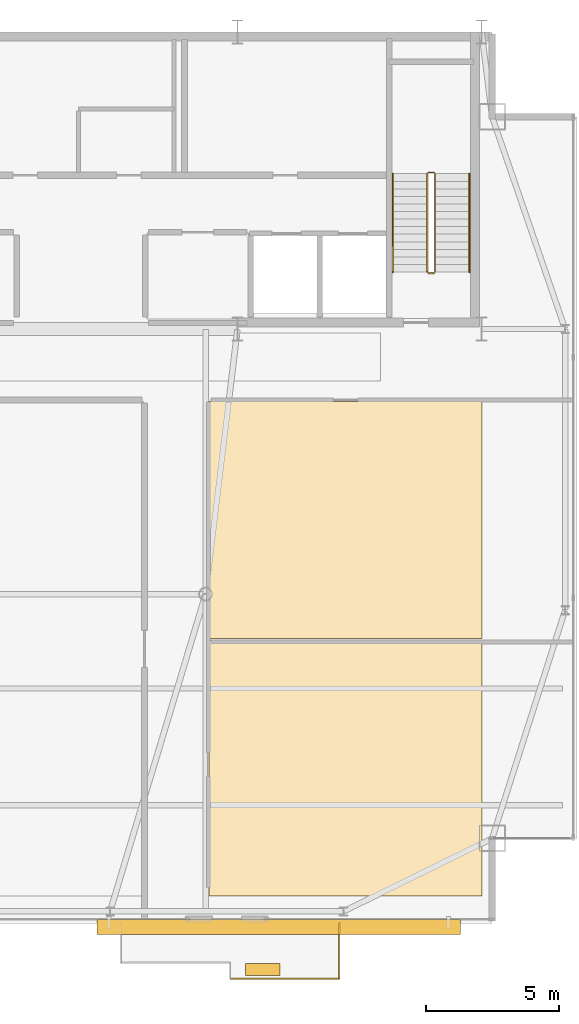
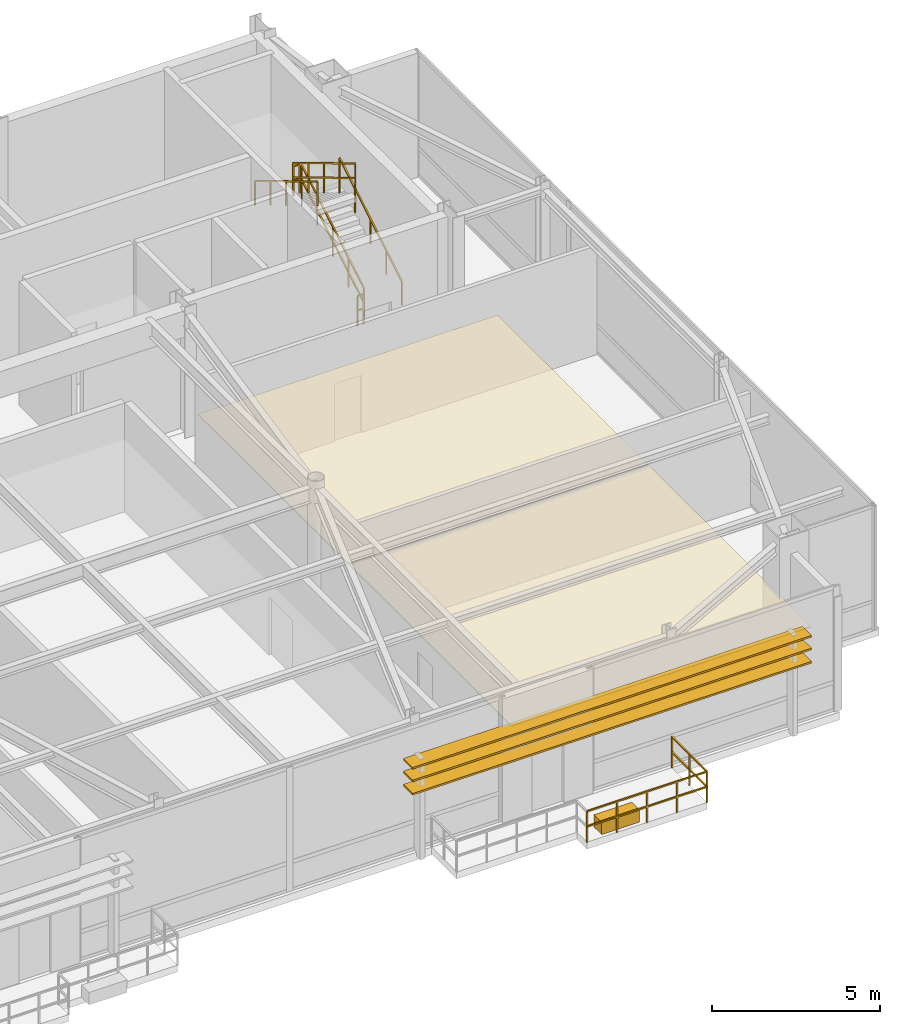
# One storey, part 22 of 22: 8 railings, 3 coverings, 3 shading devices.
"""IFC4 building model written with IfcOpenShell, lengths in metres."""

from ifc_helpers import new_model, si_unit, direction, frame, origin, origin_2d, place, context, subcontext, project, spatial, polyline, rectangle, outline, extrude, source, transform, mapped, material, layer, layer_set, type_object, type_shapes, element, save


model = new_model("IFC4")

# Units and contexts
model_context = context("Model", 3, precision=1e-05, world=origin(), true_north=direction((0.0, 1.0)))
body_context = subcontext(model_context, "Body", "Model", "MODEL_VIEW")
ifc_project = project(units=[si_unit("LENGTHUNIT", "METRE"), si_unit("AREAUNIT", "SQUARE_METRE"), si_unit("VOLUMEUNIT", "CUBIC_METRE"), si_unit("PLANEANGLEUNIT", "RADIAN"), si_unit("MASSUNIT", "GRAM", prefix="KILO")], contexts=[model_context])

# Site, building, storey
site_placement = place(None, origin())
site = spatial("IfcSite", under=ifc_project, at=site_placement, CompositionType="ELEMENT")
building_placement = place(site_placement, origin())
building = spatial("IfcBuilding", under=site, at=building_placement, Name="Varnel Quay Broadcast Tower", CompositionType="ELEMENT")
storey_placement = place(building_placement, frame((0.0, 0.0, 305.0)))
storey = spatial("IfcBuildingStorey", under=building, at=storey_placement, Name="L76", CompositionType="ELEMENT", Elevation=305.0)

# Coverings
ifc_material_1 = material(Name="Micro-Perforated Acoustic Ceiling Tile")
ifc_layer_1 = layer(ifc_material_1, 0.0400390625, Name="Micro-Perforated Acoustic Ceiling Tile")
ifc_layer_set_1 = layer_set([ifc_layer_1], Name="Micro-Perforated Acoustic Ceiling Tile")
covering_type_1 = type_object("IfcCoveringType", Name="Cov_AcousticCeiling", PredefinedType="CEILING", material=ifc_layer_set_1)
covering_1_placement = place(storey_placement, frame((0.0, 0.0, 2.580078125)))
element("IfcCovering", 1, at=covering_1_placement, inside=storey, type_object=covering_type_1, Name="L76 Sky Lounge Catering Kitchen Acoustic Ceiling", PredefinedType="CEILING", context=body_context, shape_type="SweptSolid", body=[
    extrude(outline(polyline([(42.135009765625, 14.22509765625), (52.4150390625, 14.22509765625), (52.4150390625, 23.864990234375), (42.135009765625, 23.864990234375), (42.135009765625, 14.22509765625)])), origin(), (0.0, 0.0, 1.0), 0.0400390625),
])
covering_2_placement = place(storey_placement, frame((0.0, 0.0, 2.580078125)))
element("IfcCovering", 2, at=covering_2_placement, inside=storey, type_object=covering_type_1, Name="L76 Observatory Curator's Office Acoustic Ceiling", PredefinedType="CEILING", context=body_context, shape_type="SweptSolid", body=[
    extrude(outline(polyline([(42.135009765625, 23.93505859375), (52.4150390625, 23.93505859375), (52.4150390625, 32.864990234375), (42.135009765625, 32.864990234375), (42.135009765625, 23.93505859375)])), origin(), (0.0, 0.0, 1.0), 0.0400390625),
])

# Railings
ifc_material_2 = material(Name="Anodised Bronze Aluminium 6063-T6", Category="aluminium")
railing_type_1 = type_object("IfcRailingType", Name="Rail_Balustrade1150", PredefinedType="BALUSTRADE", material=ifc_material_2)
railing_1_placement = place(storey_placement, frame((42.919921875, 11.113037109375, 0.0)))
element("IfcRailing", 3, at=railing_1_placement, inside=storey, type_object=railing_type_1, Name="L76 Terrace 2 Guard 3", PredefinedType="BALUSTRADE", context=body_context, shape_type="SweptSolid", body=[
    extrude(rectangle(XDim=0.048095703125, YDim=0.048095703125, at=origin_2d()), frame((0.0, 0.0, 1.1259765625), z_axis=(1.0, 0.0, 0.0), x_axis=(0.0, 1.0, 0.0)), (0.0, 0.0, 1.0), 4.1201171875),
    extrude(rectangle(XDim=0.048095703125, YDim=0.048095703125, at=origin_2d()), frame((0.0, 0.0, 0.574951171875), z_axis=(1.0, 0.0, 0.0), x_axis=(0.0, 1.0, 0.0)), (0.0, 0.0, 1.0), 4.1201171875),
    extrude(rectangle(XDim=0.0419921875, YDim=0.0419921875, at=origin_2d()), origin(), (0.0, 0.0, 1.0), 1.101806640625),
    extrude(rectangle(XDim=0.0419921875, YDim=0.0419921875, at=origin_2d()), frame((1.030029296875, 0.0, 0.0)), (0.0, 0.0, 1.0), 1.101806640625),
    extrude(rectangle(XDim=0.0419921875, YDim=0.0419921875, at=origin_2d()), frame((2.06005859375, 0.0, 0.0)), (0.0, 0.0, 1.0), 1.101806640625),
    extrude(rectangle(XDim=0.0419921875, YDim=0.0419921875, at=origin_2d()), frame((3.090087890625, 0.0, 0.0)), (0.0, 0.0, 1.0), 1.101806640625),
    extrude(rectangle(XDim=0.0419921875, YDim=0.0419921875, at=origin_2d()), frame((4.1201171875, 0.0, 0.0)), (0.0, 0.0, 1.0), 1.101806640625),
])
railing_2_placement = place(storey_placement, frame((47.0400390625, 11.113037109375, 0.0)))
element("IfcRailing", 4, at=railing_2_placement, inside=storey, type_object=railing_type_1, Name="L76 Terrace 2 Guard 4", PredefinedType="BALUSTRADE", context=body_context, shape_type="SweptSolid", body=[
    extrude(rectangle(XDim=0.048095703125, YDim=0.048095703125, at=origin_2d()), frame((0.0, 0.0, 1.1259765625), z_axis=(0.0, 1.0, 0.0), x_axis=(-1.0, 0.0, 0.0)), (0.0, 0.0, 1.0), 2.0869140625),
    extrude(rectangle(XDim=0.048095703125, YDim=0.048095703125, at=origin_2d()), frame((0.0, 0.0, 0.574951171875), z_axis=(0.0, 1.0, 0.0), x_axis=(-1.0, 0.0, 0.0)), (0.0, 0.0, 1.0), 2.0869140625),
    extrude(rectangle(XDim=0.0419921875, YDim=0.0419921875, at=origin_2d()), origin(), (0.0, 0.0, 1.0), 1.101806640625),
    extrude(rectangle(XDim=0.0419921875, YDim=0.0419921875, at=origin_2d()), frame((0.0, 1.04345703125, 0.0)), (0.0, 0.0, 1.0), 1.101806640625),
    extrude(rectangle(XDim=0.0419921875, YDim=0.0419921875, at=origin_2d()), frame((0.0, 2.0869140625, 0.0)), (0.0, 0.0, 1.0), 1.101806640625),
])
ifc_material_3 = material(Name="Painted Steel Guard and Handrail CSA G40.21 350W", Category="steel")
railing_type_2 = type_object("IfcRailingType", Name="Rail_StairGuard1100", PredefinedType="GUARDRAIL", material=ifc_material_3)
railing_3_placement = place(storey_placement, frame((50.64990234375, 37.75, 0.17138671875)))
element("IfcRailing", 5, at=railing_3_placement, inside=storey, type_object=railing_type_2, Name="L76 ST-02 stair guard 1", PredefinedType="GUARDRAIL", context=body_context, shape_type="SweptSolid", body=[
    extrude(rectangle(XDim=0.048095703125, YDim=0.048095703125, at=origin_2d()), frame((0.0, 0.0, 1.076171875), z_axis=(0.0, 0.856934400257, 0.515425487977), x_axis=(-1.0, 0.0, 0.0)), (0.0, 0.0, 1.0), 4.32373046875),
    extrude(rectangle(XDim=0.048095703125, YDim=0.048095703125, at=origin_2d()), frame((0.0, 0.0, 0.550048828125), z_axis=(0.0, 0.856934400257, 0.515425487977), x_axis=(-1.0, 0.0, 0.0)), (0.0, 0.0, 1.0), 4.32373046875),
    extrude(rectangle(XDim=0.0419921875, YDim=0.0419921875, at=origin_2d()), origin(), (0.0, 0.0, 1.0), 1.052001953125),
    extrude(rectangle(XDim=0.0419921875, YDim=0.0419921875, at=origin_2d()), frame((0.0, 0.92626953125, 0.55712890625)), (0.0, 0.0, 1.0), 1.052001953125),
    extrude(rectangle(XDim=0.0419921875, YDim=0.0419921875, at=origin_2d()), frame((0.0, 1.8525390625, 1.1142578125)), (0.0, 0.0, 1.0), 1.052001953125),
    extrude(rectangle(XDim=0.0419921875, YDim=0.0419921875, at=origin_2d()), frame((0.0, 2.77880859375, 1.67138671875)), (0.0, 0.0, 1.0), 1.052001953125),
    extrude(rectangle(XDim=0.0419921875, YDim=0.0419921875, at=origin_2d()), frame((0.0, 3.705078125, 2.228515625)), (0.0, 0.0, 1.0), 1.052001953125),
])
railing_4_placement = place(storey_placement, frame((50.60009765625, 41.5048828125, 2.39990234375)))
element("IfcRailing", 6, at=railing_4_placement, inside=storey, type_object=railing_type_2, Name="L76 ST-02 stair guard 2", PredefinedType="GUARDRAIL", context=body_context, shape_type="SweptSolid", body=[
    extrude(rectangle(XDim=0.048095703125, YDim=0.048095703125, at=origin_2d()), frame((0.0, 0.0, 1.076171875), z_axis=(-1.0, 0.0, 0.0), x_axis=(0.0, -1.0, 0.0)), (0.0, 0.0, 1.0), 0.2001953125),
    extrude(rectangle(XDim=0.048095703125, YDim=0.048095703125, at=origin_2d()), frame((0.0, 0.0, 0.550048828125), z_axis=(-1.0, 0.0, 0.0), x_axis=(0.0, -1.0, 0.0)), (0.0, 0.0, 1.0), 0.2001953125),
    extrude(rectangle(XDim=0.0419921875, YDim=0.0419921875, at=origin_2d()), origin(), (0.0, 0.0, 1.0), 1.052001953125),
    extrude(rectangle(XDim=0.0419921875, YDim=0.0419921875, at=origin_2d()), frame((-0.2001953125, 0.0, 0.0)), (0.0, 0.0, 1.0), 1.052001953125),
])
railing_5_placement = place(storey_placement, frame((50.35009765625, 41.455078125, 2.571533203125)))
element("IfcRailing", 7, at=railing_5_placement, inside=storey, type_object=railing_type_2, Name="L76 ST-02 stair guard 3", PredefinedType="GUARDRAIL", context=body_context, shape_type="SweptSolid", body=[
    extrude(rectangle(XDim=0.048095703125, YDim=0.048095703125, at=origin_2d()), frame((0.0, 0.0, 1.076171875), z_axis=(0.0, -0.856934400257, 0.515425487977), x_axis=(1.0, 0.0, 0.0)), (0.0, 0.0, 1.0), 4.32373046875),
    extrude(rectangle(XDim=0.048095703125, YDim=0.048095703125, at=origin_2d()), frame((0.0, 0.0, 0.550048828125), z_axis=(0.0, -0.856934400257, 0.515425487977), x_axis=(1.0, 0.0, 0.0)), (0.0, 0.0, 1.0), 4.32373046875),
    extrude(rectangle(XDim=0.0419921875, YDim=0.0419921875, at=origin_2d()), origin(), (0.0, 0.0, 1.0), 1.052001953125),
    extrude(rectangle(XDim=0.0419921875, YDim=0.0419921875, at=origin_2d()), frame((0.0, -0.92626953125, 0.55712890625)), (0.0, 0.0, 1.0), 1.052001953125),
    extrude(rectangle(XDim=0.0419921875, YDim=0.0419921875, at=origin_2d()), frame((0.0, -1.8525390625, 1.1142578125)), (0.0, 0.0, 1.0), 1.052001953125),
    extrude(rectangle(XDim=0.0419921875, YDim=0.0419921875, at=origin_2d()), frame((0.0, -2.77880859375, 1.67138671875)), (0.0, 0.0, 1.0), 1.052001953125),
    extrude(rectangle(XDim=0.0419921875, YDim=0.0419921875, at=origin_2d()), frame((0.0, -3.705078125, 2.228515625)), (0.0, 0.0, 1.0), 1.052001953125),
])
railing_6_placement = place(storey_placement, frame((50.60009765625, 37.699951171875, 0.0)))
element("IfcRailing", 8, at=railing_6_placement, inside=storey, type_object=railing_type_2, Name="L76 ST-02 stair guard 4", PredefinedType="GUARDRAIL", context=body_context, shape_type="SweptSolid", body=[
    extrude(rectangle(XDim=0.048095703125, YDim=0.048095703125, at=origin_2d()), frame((0.0, 0.0, 1.076171875), z_axis=(-1.0, 0.0, 0.0), x_axis=(0.0, -1.0, 0.0)), (0.0, 0.0, 1.0), 0.2001953125),
    extrude(rectangle(XDim=0.048095703125, YDim=0.048095703125, at=origin_2d()), frame((0.0, 0.0, 0.550048828125), z_axis=(-1.0, 0.0, 0.0), x_axis=(0.0, -1.0, 0.0)), (0.0, 0.0, 1.0), 0.2001953125),
    extrude(rectangle(XDim=0.0419921875, YDim=0.0419921875, at=origin_2d()), origin(), (0.0, 0.0, 1.0), 1.052001953125),
    extrude(rectangle(XDim=0.0419921875, YDim=0.0419921875, at=origin_2d()), frame((-0.2001953125, 0.0, 0.0)), (0.0, 0.0, 1.0), 1.052001953125),
])
railing_type_3 = type_object("IfcRailingType", Name="Rail_StairHandrail900", PredefinedType="HANDRAIL", material=ifc_material_3)
railing_7_placement = place(storey_placement, frame((51.949951171875, 37.75, 0.17138671875)))
element("IfcRailing", 9, at=railing_7_placement, inside=storey, type_object=railing_type_3, Name="L76 ST-02 stair handrail 1", PredefinedType="HANDRAIL", context=body_context, shape_type="SweptSolid", body=[
    extrude(rectangle(XDim=0.048095703125, YDim=0.048095703125, at=origin_2d()), frame((0.0, 0.0, 0.8759765625), z_axis=(0.0, 0.856934400257, 0.515425487977), x_axis=(-1.0, 0.0, 0.0)), (0.0, 0.0, 1.0), 4.32373046875),
    extrude(rectangle(XDim=0.0419921875, YDim=0.0419921875, at=origin_2d()), origin(), (0.0, 0.0, 1.0), 0.851806640625),
    extrude(rectangle(XDim=0.0419921875, YDim=0.0419921875, at=origin_2d()), frame((0.0, 0.92626953125, 0.55712890625)), (0.0, 0.0, 1.0), 0.851806640625),
    extrude(rectangle(XDim=0.0419921875, YDim=0.0419921875, at=origin_2d()), frame((0.0, 1.8525390625, 1.1142578125)), (0.0, 0.0, 1.0), 0.851806640625),
    extrude(rectangle(XDim=0.0419921875, YDim=0.0419921875, at=origin_2d()), frame((0.0, 2.77880859375, 1.67138671875)), (0.0, 0.0, 1.0), 0.851806640625),
    extrude(rectangle(XDim=0.0419921875, YDim=0.0419921875, at=origin_2d()), frame((0.0, 3.705078125, 2.228515625)), (0.0, 0.0, 1.0), 0.851806640625),
])
railing_8_placement = place(storey_placement, frame((49.050048828125, 41.455078125, 2.571533203125)))
element("IfcRailing", 10, at=railing_8_placement, inside=storey, type_object=railing_type_3, Name="L76 ST-02 stair handrail 2", PredefinedType="HANDRAIL", context=body_context, shape_type="SweptSolid", body=[
    extrude(rectangle(XDim=0.048095703125, YDim=0.048095703125, at=origin_2d()), frame((0.0, 0.0, 0.8759765625), z_axis=(0.0, -0.856934400257, 0.515425487977), x_axis=(1.0, 0.0, 0.0)), (0.0, 0.0, 1.0), 4.32373046875),
    extrude(rectangle(XDim=0.0419921875, YDim=0.0419921875, at=origin_2d()), origin(), (0.0, 0.0, 1.0), 0.851806640625),
    extrude(rectangle(XDim=0.0419921875, YDim=0.0419921875, at=origin_2d()), frame((0.0, -0.92626953125, 0.55712890625)), (0.0, 0.0, 1.0), 0.851806640625),
    extrude(rectangle(XDim=0.0419921875, YDim=0.0419921875, at=origin_2d()), frame((0.0, -1.8525390625, 1.1142578125)), (0.0, 0.0, 1.0), 0.851806640625),
    extrude(rectangle(XDim=0.0419921875, YDim=0.0419921875, at=origin_2d()), frame((0.0, -2.77880859375, 1.67138671875)), (0.0, 0.0, 1.0), 0.851806640625),
    extrude(rectangle(XDim=0.0419921875, YDim=0.0419921875, at=origin_2d()), frame((0.0, -3.705078125, 2.228515625)), (0.0, 0.0, 1.0), 0.851806640625),
])

# Covering
ifc_material_4 = material(Name="Bronze-Terracotta Extruded Ceramic Blade", Category="masonry")
ifc_layer_2 = layer(ifc_material_4, 0.449951171875, Name="Bronze-Terracotta Extruded Ceramic Blade")
ifc_layer_set_2 = layer_set([ifc_layer_2], Name="Bronze-Terracotta Extruded Ceramic Blade")
covering_type_2 = type_object("IfcCoveringType", Name="Cov_BronzePlanter", PredefinedType="CLADDING", material=ifc_layer_set_2)
shared_shape_1 = source(origin(), body_context, "Body", "SweptSolid", [
    extrude(rectangle(XDim=1.300048828125, YDim=0.449951171875, at=origin_2d()), origin(), (0.0, 0.0, 1.0), 0.449951171875),
])
type_shapes(covering_type_2, [shared_shape_1])
covering_3_placement = place(storey_placement, frame((44.14990234375, 11.462890625, 0.0), z_axis=(0.0, 0.0, 1.0), x_axis=(1.0, 0.0, 0.0)))
element("IfcCovering", 11, at=covering_3_placement, inside=storey, type_object=covering_type_2, Name="L76 Terrace 2 Bronze Planter", PredefinedType="CLADDING", context=body_context, shape_type="MappedRepresentation", body=[
    mapped(shared_shape_1, transform((0.0, 0.0, 0.0), x_axis=(1.0, 0.0, 0.0), y_axis=(0.0, 1.0, 0.0), z_axis=(0.0, 0.0, 1.0), scale=1.0)),
])

# Shading devices
ifc_layer_3 = layer(ifc_material_4, 0.06494140625, Name="Bronze-Terracotta Extruded Ceramic Blade")
ifc_layer_set_3 = layer_set([ifc_layer_3], Name="Bronze-Terracotta Extruded Ceramic Blade")
shading_device_type = type_object("IfcShadingDeviceType", Name="Shade_LouvreBlade550", PredefinedType="JALOUSIE", material=ifc_layer_set_3)
shared_shape_2 = source(origin(), body_context, "Body", "SweptSolid", [
    extrude(rectangle(XDim=13.695068359375, YDim=0.550048828125, at=origin_2d()), origin(), (0.0, 0.0, 1.0), 0.06494140625),
])
type_shapes(shading_device_type, [shared_shape_2])
for number, where, z_axis, x_axis, name in (
    (12, (44.751953125, 13.06005859375, 2.447509765625), (0.0, 0.0, 1.0), (1.0, 0.0, 0.0), "L76 Lobe 2 Horizontal Louvre Blade 1"),
    (13, (44.751953125, 13.06005859375, 2.927490234375), (0.0, 0.0, 1.0), (1.0, 0.0, 0.0), "L76 Lobe 2 Horizontal Louvre Blade 2"),
    (14, (44.751953125, 13.06005859375, 3.387451171875), (0.0, 0.0, 1.0), (1.0, 0.0, 0.0), "L76 Lobe 2 Horizontal Louvre Blade 3"),
):
    element("IfcShadingDevice", number, at=place(storey_placement, frame(where, z_axis=z_axis, x_axis=x_axis)), inside=storey, type_object=shading_device_type, Name=name, PredefinedType="JALOUSIE", context=body_context, shape_type="MappedRepresentation", body=[
        mapped(shared_shape_2, transform((0.0, 0.0, 0.0), x_axis=(1.0, 0.0, 0.0), y_axis=(0.0, 1.0, 0.0), z_axis=(0.0, 0.0, 1.0), scale=1.0)),
    ])

save(model, "model.ifc")
